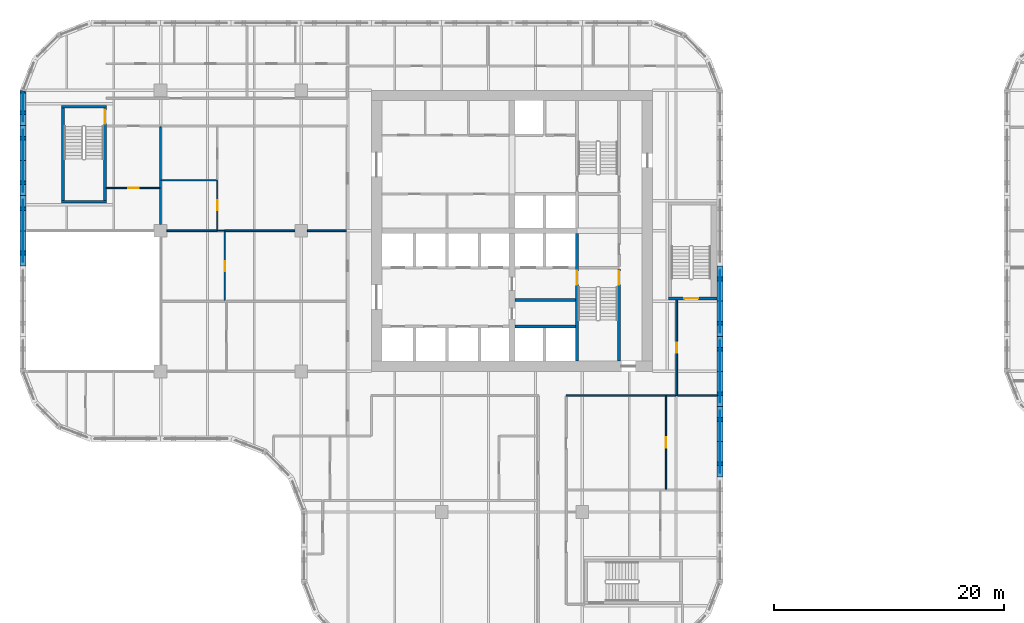
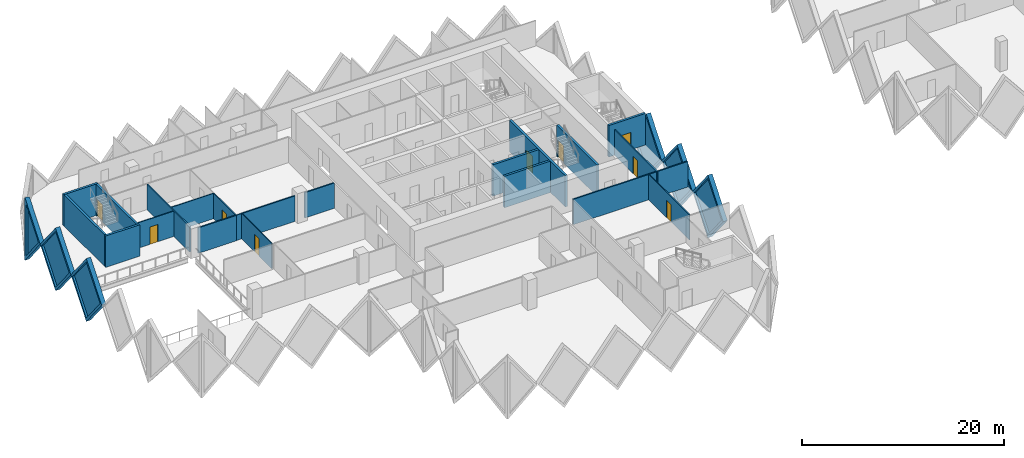
# One storey, part 7 of 18: 28 walls, 9 doors, 6 plates, 15 openings.
"""IFC4 building model written with IfcOpenShell, lengths in metres."""

from ifc_helpers import new_model, si_unit, direction, frame, frame_2d, origin, place, context, subcontext, project, spatial, polyline, rectangle, outline, extrude, faceted_brep, source, transform, mapped, material, layer, layer_set, type_object, element, fill, save


model = new_model("IFC4")

# Units and contexts
model_context = context("Model", 3, precision=1e-05, world=origin(), true_north=direction((0.0, 1.0)))
body_context = subcontext(model_context, "Body", "Model", "MODEL_VIEW")
ifc_project = project(units=[si_unit("LENGTHUNIT", "METRE"), si_unit("AREAUNIT", "SQUARE_METRE"), si_unit("VOLUMEUNIT", "CUBIC_METRE"), si_unit("PLANEANGLEUNIT", "RADIAN"), si_unit("MASSUNIT", "GRAM", prefix="KILO")], contexts=[model_context])

# Site, building, storey
site_placement = place(None, origin())
site = spatial("IfcSite", under=ifc_project, at=site_placement, CompositionType="ELEMENT")
building_placement = place(site_placement, origin())
building = spatial("IfcBuilding", under=site, at=building_placement, Name="Tessera Gate Towers", CompositionType="ELEMENT")
storey_placement = place(building_placement, frame((0.0, 0.0, 37.199951171875)))
storey = spatial("IfcBuildingStorey", under=building, at=storey_placement, Name="L08", CompositionType="ELEMENT", Elevation=37.199951171875)

# Wall, opening, door
ifc_material_1 = material(Name="Concrete C40/50", Category="concrete")
ifc_layer_1 = layer(ifc_material_1, 0.25)
ifc_layer_set_1 = layer_set([ifc_layer_1], Name="CORE ENCLOSURE WALL 250")
wall_type_1 = type_object("IfcWallType", Name="CORE ENCLOSURE WALL 250", PredefinedType="SOLIDWALL", material=ifc_layer_set_1)
wall_1_placement = place(storey_placement, frame((48.35009765625, 36.35009765625, 0.0), z_axis=(0.0, 0.0, 1.0), x_axis=(0.0, -1.0, 0.0)))
wall_1 = element("IfcWall", 1, at=wall_1_placement, inside=storey, type_object=wall_type_1, Name="L08 shaft and stair enclosure wall", PredefinedType="SOLIDWALL", context=body_context, shape_type="SweptSolid", body=[
    extrude(rectangle(XDim=11.050048828125, YDim=0.25, at=frame_2d((5.52490234375, 0.0))), origin(), (0.0, 0.0, 1.0), 3.800048828125),
])
shared_shape_1 = source(origin(), body_context, "Body", "SweptSolid", [
    extrude(rectangle(XDim=1.199951171875, YDim=2.10009765625, at=frame_2d((0.60009765625, 1.050048828125))), frame((0.0, 0.135009765625, 0.0), z_axis=(0.0, -1.0, 0.0), x_axis=(1.0, 0.0, 0.0)), (0.0, 0.0, 1.0), 0.27001953125),
])
opening_1_placement = place(wall_1_placement, frame((3.22509765625, 0.0, 0.0)))
opening_1 = element("IfcOpeningElement", 2, at=opening_1_placement, cuts=wall_1, Name="Opening SD-ST1-1", PredefinedType="OPENING", context=body_context, shape_type="MappedRepresentation", body=[
    mapped(shared_shape_1, transform((0.0, 0.0, 0.0), scale=1.0)),
])
ifc_material_2 = material(Name="Hollow steel fire door", Category="steel")
door_type_1 = type_object("IfcDoorType", Name="CORE DOOR SD 1200x2100", OperationType="NOTDEFINED", PredefinedType="DOOR", material=ifc_material_2)
shared_shape_2 = source(origin(), body_context, "Body", "SweptSolid", [
    extrude(rectangle(XDim=1.199951171875, YDim=2.10009765625, at=frame_2d((0.60009765625, 1.050048828125))), frame((0.0, 0.02490234375, 0.0), z_axis=(0.0, -1.0, 0.0), x_axis=(1.0, 0.0, 0.0)), (0.0, 0.0, 1.0), 0.050048828125),
])
door_1_placement = place(opening_1_placement, origin())
door_1 = element("IfcDoor", 3, at=door_1_placement, inside=storey, type_object=door_type_1, Name="Stair door", OperationType="SINGLE_SWING_LEFT", OverallHeight=2.10009765625, OverallWidth=1.199951171875, PredefinedType="DOOR", context=body_context, shape_type="MappedRepresentation", body=[
    mapped(shared_shape_2, transform((0.0, 0.0, 0.0), scale=1.0)),
])
fill(opening_1, door_1)

# Wall
wall_2_placement = place(storey_placement, frame((42.949951171875, 28.300048828125, 0.0), z_axis=(0.0, 0.0, 1.0), x_axis=(1.0, 0.0, 0.0)))
element("IfcWall", 4, at=wall_2_placement, inside=storey, type_object=wall_type_1, Name="L08 shaft and stair enclosure wall", PredefinedType="SOLIDWALL", context=body_context, shape_type="SweptSolid", body=[
    extrude(rectangle(XDim=5.275146484375, YDim=0.25, at=frame_2d((2.6376953125, 0.0))), origin(), (0.0, 0.0, 1.0), 3.800048828125),
])

# Wall, opening, door
wall_3_placement = place(storey_placement, frame((52.0, 25.300048828125, 0.0), z_axis=(0.0, 0.0, 1.0), x_axis=(0.0, 1.0, 0.0)))
wall_3 = element("IfcWall", 5, at=wall_3_placement, inside=storey, type_object=wall_type_1, Name="L08 shaft and stair enclosure wall", PredefinedType="SOLIDWALL", context=body_context, shape_type="SweptSolid", body=[
    extrude(rectangle(XDim=7.974853515625, YDim=0.25, at=frame_2d((3.9873046875, 0.0))), origin(), (0.0, 0.0, 1.0), 3.800048828125),
])
opening_2_placement = place(wall_3_placement, frame((6.625, 0.0, 0.0)))
opening_2 = element("IfcOpeningElement", 6, at=opening_2_placement, cuts=wall_3, Name="Opening SD-ST1-2", PredefinedType="OPENING", context=body_context, shape_type="MappedRepresentation", body=[
    mapped(shared_shape_1, transform((0.0, 0.0, 0.0), scale=1.0)),
])
door_2_placement = place(opening_2_placement, origin())
door_2 = element("IfcDoor", 7, at=door_2_placement, inside=storey, type_object=door_type_1, Name="Stair door", OperationType="SINGLE_SWING_RIGHT", OverallHeight=2.10009765625, OverallWidth=1.199951171875, PredefinedType="DOOR", context=body_context, shape_type="MappedRepresentation", body=[
    mapped(shared_shape_2, transform((0.0, 0.0, 0.0), scale=1.0)),
])
fill(opening_2, door_2)

# Walls
wall_4_placement = place(storey_placement, frame((42.949951171875, 30.60009765625, 0.0), z_axis=(0.0, 0.0, 1.0), x_axis=(1.0, 0.0, 0.0)))
element("IfcWall", 8, at=wall_4_placement, inside=storey, type_object=wall_type_1, Name="L08 shaft and stair enclosure wall", PredefinedType="SOLIDWALL", context=body_context, shape_type="SweptSolid", body=[
    extrude(rectangle(XDim=5.275146484375, YDim=0.25, at=frame_2d((2.6376953125, 0.0))), origin(), (0.0, 0.0, 1.0), 3.800048828125),
])
wall_5_placement = place(storey_placement, frame((7.5, 39.125, 0.0), z_axis=(0.0, 0.0, 1.0), x_axis=(-1.0, 0.0, 0.0)))
element("IfcWall", 9, at=wall_5_placement, inside=storey, type_object=wall_type_1, Name="L08 ST3 enclosure wall", PredefinedType="SOLIDWALL", context=body_context, shape_type="SweptSolid", body=[
    extrude(rectangle(XDim=3.89990234375, YDim=0.25, at=frame_2d((1.949951171875, 0.0))), origin(), (0.0, 0.0, 1.0), 3.800048828125),
])
wall_6_placement = place(storey_placement, frame((3.72509765625, 39.25, 0.0), z_axis=(0.0, 0.0, 1.0), x_axis=(0.0, 1.0, 0.0)))
element("IfcWall", 10, at=wall_6_placement, inside=storey, type_object=wall_type_1, Name="L08 ST3 enclosure wall", PredefinedType="SOLIDWALL", context=body_context, shape_type="SweptSolid", body=[
    extrude(rectangle(XDim=8.0, YDim=0.25, at=frame_2d((4.0, 0.0))), origin(), (0.0, 0.0, 1.0), 3.800048828125),
])
wall_7_placement = place(storey_placement, frame((3.60009765625, 47.375, 0.0), z_axis=(0.0, 0.0, 1.0), x_axis=(1.0, 0.0, 0.0)))
element("IfcWall", 11, at=wall_7_placement, inside=storey, type_object=wall_type_1, Name="L08 ST3 enclosure wall", PredefinedType="SOLIDWALL", context=body_context, shape_type="SweptSolid", body=[
    extrude(rectangle(XDim=3.89990234375, YDim=0.25, at=frame_2d((1.949951171875, 0.0))), origin(), (0.0, 0.0, 1.0), 3.800048828125),
])

# Wall, opening, door
wall_8_placement = place(storey_placement, frame((7.375, 47.25, 0.0), z_axis=(0.0, 0.0, 1.0), x_axis=(0.0, -1.0, 0.0)))
wall_8 = element("IfcWall", 12, at=wall_8_placement, inside=storey, type_object=wall_type_1, Name="L08 ST3 enclosure wall", PredefinedType="SOLIDWALL", context=body_context, shape_type="SweptSolid", body=[
    extrude(rectangle(XDim=8.0, YDim=0.25, at=frame_2d((4.0, 0.0))), origin(), (0.0, 0.0, 1.0), 3.800048828125),
])
opening_3_placement = place(wall_8_placement, frame((0.14990234375, 0.0, 0.0)))
opening_3 = element("IfcOpeningElement", 13, at=opening_3_placement, cuts=wall_8, Name="Opening SD-ST3-1", PredefinedType="OPENING", context=body_context, shape_type="MappedRepresentation", body=[
    mapped(shared_shape_1, transform((0.0, 0.0, 0.0), scale=1.0)),
])
door_3_placement = place(opening_3_placement, origin())
door_3 = element("IfcDoor", 14, at=door_3_placement, inside=storey, type_object=door_type_1, Name="Stair door", OperationType="SINGLE_SWING_LEFT", OverallHeight=2.10009765625, OverallWidth=1.199951171875, PredefinedType="DOOR", context=body_context, shape_type="MappedRepresentation", body=[
    mapped(shared_shape_2, transform((0.0, 0.0, 0.0), scale=1.0)),
])
fill(opening_3, door_3)

wall_9_placement = place(storey_placement, frame((60.5, 30.72509765625, 0.0), z_axis=(0.0, 0.0, 1.0), x_axis=(-1.0, 0.0, 0.0)))
wall_9 = element("IfcWall", 15, at=wall_9_placement, inside=storey, type_object=wall_type_1, Name="L08 ST5 enclosure wall", PredefinedType="SOLIDWALL", context=body_context, shape_type="SweptSolid", body=[
    extrude(rectangle(XDim=4.199951171875, YDim=0.25, at=frame_2d((2.10009765625, 0.0))), origin(), (0.0, 0.0, 1.0), 3.800048828125),
])
opening_4_placement = place(wall_9_placement, frame((1.64990234375, 0.0, 0.0)))
opening_4 = element("IfcOpeningElement", 16, at=opening_4_placement, cuts=wall_9, Name="Opening SD-ST5-1", PredefinedType="OPENING", context=body_context, shape_type="MappedRepresentation", body=[
    mapped(shared_shape_1, transform((0.0, 0.0, 0.0), scale=1.0)),
])
door_4_placement = place(opening_4_placement, origin())
door_4 = element("IfcDoor", 17, at=door_4_placement, inside=storey, type_object=door_type_1, Name="Stair door", OperationType="SINGLE_SWING_RIGHT", OverallHeight=2.10009765625, OverallWidth=1.199951171875, PredefinedType="DOOR", context=body_context, shape_type="MappedRepresentation", body=[
    mapped(shared_shape_2, transform((0.0, 0.0, 0.0), scale=1.0)),
])
fill(opening_4, door_4)

# Wall
ifc_material_3 = material(Name="Gypsum board on steel studs, mineral wool", Category="steel")
ifc_layer_2 = layer(ifc_material_3, 0.14990234375)
ifc_layer_set_2 = layer_set([ifc_layer_2], Name="CORRIDOR WALL 150")
wall_type_2 = type_object("IfcWallType", Name="CORRIDOR WALL 150", PredefinedType="PARTITIONING", material=ifc_layer_set_2)
wall_10_placement = place(storey_placement, frame((47.39990234375, 22.300048828125, 0.0), z_axis=(0.0, 0.0, 1.0), x_axis=(1.0, 0.0, 0.0)))
element("IfcWall", 18, at=wall_10_placement, inside=storey, type_object=wall_type_2, Name="T1-L08-PW-023", PredefinedType="PARTITIONING", context=body_context, shape_type="SweptSolid", body=[
    extrude(rectangle(XDim=9.524169921875, YDim=0.14990234375, at=frame_2d((4.76220703125, 0.0))), origin(), (0.0, 0.0, 1.0), 3.067138671875),
])

# Wall, opening, door
wall_11_placement = place(storey_placement, frame((57.0, 30.60009765625, 0.0), z_axis=(0.0, 0.0, 1.0), x_axis=(0.0, -1.0, 0.0)))
wall_11 = element("IfcWall", 19, at=wall_11_placement, inside=storey, type_object=wall_type_2, Name="T1-L08-PW-024", PredefinedType="PARTITIONING", context=body_context, shape_type="SweptSolid", body=[
    extrude(rectangle(XDim=8.300048828125, YDim=0.14990234375, at=frame_2d((4.14990234375, 0.0))), origin(), (0.0, 0.0, 1.0), 3.067138671875),
])
shared_shape_3 = source(origin(), body_context, "Body", "SweptSolid", [
    extrude(rectangle(XDim=0.89990234375, YDim=2.10009765625, at=frame_2d((0.449951171875, 1.050048828125))), frame((0.0, 0.0849609375, 0.0), z_axis=(0.0, -1.0, 0.0), x_axis=(1.0, 0.0, 0.0)), (0.0, 0.0, 1.0), 0.169921875),
])
opening_5_placement = place(wall_11_placement, frame((3.699951171875, 0.0, 0.0)))
opening_5 = element("IfcOpeningElement", 20, at=opening_5_placement, cuts=wall_11, Name="Opening D890FD60-A03-06", PredefinedType="OPENING", context=body_context, shape_type="MappedRepresentation", body=[
    mapped(shared_shape_3, transform((0.0, 0.0, 0.0), scale=1.0)),
])
ifc_material_4 = material(Name="Timber door leaf in steel frame", Category="steel")
door_type_2 = type_object("IfcDoorType", Name="CORRIDOR DOOR 900 FD60", OperationType="NOTDEFINED", PredefinedType="DOOR", material=ifc_material_4)
shared_shape_4 = source(origin(), body_context, "Body", "SweptSolid", [
    extrude(rectangle(XDim=0.89990234375, YDim=2.10009765625, at=frame_2d((0.449951171875, 1.050048828125))), frame((0.0, 0.02490234375, 0.0), z_axis=(0.0, -1.0, 0.0), x_axis=(1.0, 0.0, 0.0)), (0.0, 0.0, 1.0), 0.050048828125),
])
door_5_placement = place(opening_5_placement, origin())
door_5 = element("IfcDoor", 21, at=door_5_placement, inside=storey, type_object=door_type_2, Name="T1-L08-PD-021", OperationType="SINGLE_SWING_RIGHT", OverallHeight=2.10009765625, OverallWidth=0.89990234375, PredefinedType="DOOR", context=body_context, shape_type="MappedRepresentation", body=[
    mapped(shared_shape_4, transform((0.0, 0.0, 0.0), scale=1.0)),
])
fill(opening_5, door_5)

ifc_material_5 = material(Name="Glass", Category="glass")
ifc_layer_3 = layer(ifc_material_5, 0.10009765625)
ifc_layer_set_3 = layer_set([ifc_layer_3], Name="GLAZED PARTITION 100")
wall_type_3 = type_object("IfcWallType", Name="GLAZED PARTITION 100", PredefinedType="PARTITIONING", material=ifc_layer_set_3)
wall_12_placement = place(storey_placement, frame((56.06494140625, 22.22412109375, 0.0), z_axis=(0.0, 0.0, 1.0), x_axis=(0.0, -1.0, 0.0)))
wall_12 = element("IfcWall", 22, at=wall_12_placement, inside=storey, type_object=wall_type_3, Name="T1-L08-PW-014", PredefinedType="PARTITIONING", context=body_context, shape_type="SweptSolid", body=[
    extrude(rectangle(XDim=8.048095703125, YDim=0.10009765625, at=frame_2d((4.02392578125, 0.0))), origin(), (0.0, 0.0, 1.0), 3.067138671875),
])
shared_shape_5 = source(origin(), body_context, "Body", "SweptSolid", [
    extrude(rectangle(XDim=0.89990234375, YDim=2.10009765625, at=frame_2d((0.449951171875, 1.050048828125))), frame((0.0, 0.06005859375, 0.0), z_axis=(0.0, -1.0, 0.0), x_axis=(1.0, 0.0, 0.0)), (0.0, 0.0, 1.0), 0.1201171875),
])
opening_6_placement = place(wall_12_placement, frame((3.548095703125, 0.0, 0.0)))
opening_6 = element("IfcOpeningElement", 23, at=opening_6_placement, cuts=wall_12, Name="Opening D690-A03-04", PredefinedType="OPENING", context=body_context, shape_type="MappedRepresentation", body=[
    mapped(shared_shape_5, transform((0.0, 0.0, 0.0), scale=1.0)),
])
ifc_material_6 = material(Name="Glass in aluminium frame", Category="aluminium")
door_type_3 = type_object("IfcDoorType", Name="GLAZED DOOR 900 NOT RATED", OperationType="NOTDEFINED", PredefinedType="DOOR", material=ifc_material_6)
door_6_placement = place(opening_6_placement, origin())
door_6 = element("IfcDoor", 24, at=door_6_placement, inside=storey, type_object=door_type_3, Name="T1-L08-PD-019", OperationType="SINGLE_SWING_RIGHT", OverallHeight=2.10009765625, OverallWidth=0.89990234375, PredefinedType="DOOR", context=body_context, shape_type="MappedRepresentation", body=[
    mapped(shared_shape_4, transform((0.0, 0.0, 0.0), scale=1.0)),
])
fill(opening_6, door_6)

wall_13_placement = place(storey_placement, frame((17.77490234375, 30.575927734375, 0.0), z_axis=(0.0, 0.0, 1.0), x_axis=(0.0, 1.0, 0.0)))
wall_13 = element("IfcWall", 25, at=wall_13_placement, inside=storey, type_object=wall_type_3, Name="T1-L08-PW-032", PredefinedType="PARTITIONING", context=body_context, shape_type="SweptSolid", body=[
    extrude(rectangle(XDim=5.947998046875, YDim=0.10009765625, at=frame_2d((2.97412109375, 0.0))), origin(), (0.0, 0.0, 1.0), 3.067138671875),
])
opening_7_placement = place(wall_13_placement, frame((2.5, 0.0, 0.0)))
opening_7 = element("IfcOpeningElement", 26, at=opening_7_placement, cuts=wall_13, Name="Opening D690-A03-03", PredefinedType="OPENING", context=body_context, shape_type="MappedRepresentation", body=[
    mapped(shared_shape_5, transform((0.0, 0.0, 0.0), scale=1.0)),
])
door_7_placement = place(opening_7_placement, origin())
door_7 = element("IfcDoor", 27, at=door_7_placement, inside=storey, type_object=door_type_3, Name="T1-L08-PD-014", OperationType="SINGLE_SWING_LEFT", OverallHeight=2.10009765625, OverallWidth=0.89990234375, PredefinedType="DOOR", context=body_context, shape_type="MappedRepresentation", body=[
    mapped(shared_shape_4, transform((0.0, 0.0, 0.0), scale=1.0)),
])
fill(opening_7, door_7)

# Wall
wall_14_placement = place(storey_placement, frame((17.1259765625, 36.60009765625, 0.0), z_axis=(0.0, 0.0, 1.0), x_axis=(1.0, 0.0, 0.0)))
element("IfcWall", 28, at=wall_14_placement, inside=storey, type_object=wall_type_3, Name="T1-L08-PW-034", PredefinedType="PARTITIONING", context=body_context, shape_type="SweptSolid", body=[
    extrude(rectangle(XDim=0.64794921875, YDim=0.10009765625, at=frame_2d((0.323974609375, 0.0))), origin(), (0.0, 0.0, 1.0), 3.067138671875),
])

# Wall, opening, door
ifc_material_7 = material(Name="Gypsum board on steel studs", Category="steel")
ifc_layer_4 = layer(ifc_material_7, 0.10009765625)
ifc_layer_set_4 = layer_set([ifc_layer_4], Name="PARTITION 100")
wall_type_4 = type_object("IfcWallType", Name="PARTITION 100", PredefinedType="PARTITIONING", material=ifc_layer_set_4)
wall_15_placement = place(storey_placement, frame((17.125, 36.676025390625, 0.0), z_axis=(0.0, 0.0, 1.0), x_axis=(0.0, 1.0, 0.0)))
wall_15 = element("IfcWall", 29, at=wall_15_placement, inside=storey, type_object=wall_type_4, Name="T1-L08-PW-037", PredefinedType="PARTITIONING", context=body_context, shape_type="SweptSolid", body=[
    extrude(rectangle(XDim=4.26904296875, YDim=0.10009765625, at=frame_2d((2.134521484375, 0.0))), origin(), (0.0, 0.0, 1.0), 3.067138671875),
])
opening_8_placement = place(wall_15_placement, frame((1.699951171875, 0.0, 0.0)))
opening_8 = element("IfcOpeningElement", 30, at=opening_8_placement, cuts=wall_15, Name="Opening D190-A03-02", PredefinedType="OPENING", context=body_context, shape_type="MappedRepresentation", body=[
    mapped(shared_shape_5, transform((0.0, 0.0, 0.0), scale=1.0)),
])
ifc_material_8 = material(Name="Timber door leaf in steel frame", Category="steel")
door_type_4 = type_object("IfcDoorType", Name="INTERNAL DOOR 900 NOT RATED", OperationType="NOTDEFINED", PredefinedType="DOOR", material=ifc_material_8)
door_8_placement = place(opening_8_placement, origin())
door_8 = element("IfcDoor", 31, at=door_8_placement, inside=storey, type_object=door_type_4, Name="T1-L08-PD-003", OperationType="SINGLE_SWING_LEFT", OverallHeight=2.10009765625, OverallWidth=0.89990234375, PredefinedType="DOOR", context=body_context, shape_type="MappedRepresentation", body=[
    mapped(shared_shape_4, transform((0.0, 0.0, 0.0), scale=1.0)),
])
fill(opening_8, door_8)

wall_16_placement = place(storey_placement, frame((12.1240234375, 40.31494140625, 0.0), z_axis=(0.0, 0.0, 1.0), x_axis=(-1.0, 0.0, 0.0)))
wall_16 = element("IfcWall", 32, at=wall_16_placement, inside=storey, type_object=wall_type_4, Name="T1-L08-PW-039", PredefinedType="PARTITIONING", context=body_context, shape_type="SweptSolid", body=[
    extrude(rectangle(XDim=4.6240234375, YDim=0.10009765625, at=frame_2d((2.31201171875, 0.0))), origin(), (0.0, 0.0, 1.0), 3.067138671875),
])
opening_9_placement = place(wall_16_placement, frame((1.823974609375, 0.0, 0.0)))
opening_9 = element("IfcOpeningElement", 33, at=opening_9_placement, cuts=wall_16, Name="Opening D190-A03-05", PredefinedType="OPENING", context=body_context, shape_type="MappedRepresentation", body=[
    mapped(shared_shape_5, transform((0.0, 0.0, 0.0), scale=1.0)),
])
door_9_placement = place(opening_9_placement, origin())
door_9 = element("IfcDoor", 34, at=door_9_placement, inside=storey, type_object=door_type_4, Name="T1-L08-PD-006", OperationType="SINGLE_SWING_RIGHT", OverallHeight=2.10009765625, OverallWidth=0.89990234375, PredefinedType="DOOR", context=body_context, shape_type="MappedRepresentation", body=[
    mapped(shared_shape_4, transform((0.0, 0.0, 0.0), scale=1.0)),
])
fill(opening_9, door_9)

# Walls
wall_17_placement = place(storey_placement, frame((12.27587890625, 40.99609375, 0.0), z_axis=(0.0, 0.0, 1.0), x_axis=(1.0, 0.0, 0.0)))
element("IfcWall", 35, at=wall_17_placement, inside=storey, type_object=wall_type_4, Name="T1-L08-PW-040", PredefinedType="PARTITIONING", context=body_context, shape_type="SweptSolid", body=[
    extrude(rectangle(XDim=4.84912109375, YDim=0.10009765625, at=frame_2d((2.424560546875, 0.0))), origin(), (0.0, 0.0, 1.0), 3.067138671875),
])
ifc_material_9 = material(Name="Gypsum board on steel studs, mineral wool", Category="steel")
ifc_layer_5 = layer(ifc_material_9, 0.14990234375)
ifc_layer_set_5 = layer_set([ifc_layer_5], Name="TENANCY WALL 150")
wall_type_5 = type_object("IfcWallType", Name="TENANCY WALL 150", PredefinedType="PARTITIONING", material=ifc_layer_set_5)
wall_18_placement = place(storey_placement, frame((57.075927734375, 22.300048828125, 0.0), z_axis=(0.0, 0.0, 1.0), x_axis=(1.0, 0.0, 0.0)))
element("IfcWall", 36, at=wall_18_placement, inside=storey, type_object=wall_type_5, Name="T1-L08-PW-025", PredefinedType="PARTITIONING", context=body_context, shape_type="SweptSolid", body=[
    extrude(rectangle(XDim=3.424072265625, YDim=0.14990234375, at=frame_2d((1.7119140625, 0.0))), origin(), (0.0, 0.0, 1.0), 3.067138671875),
])
wall_19_placement = place(storey_placement, frame((12.7509765625, 36.60009765625, 0.0), z_axis=(0.0, 0.0, 1.0), x_axis=(1.0, 0.0, 0.0)))
element("IfcWall", 37, at=wall_19_placement, inside=storey, type_object=wall_type_5, Name="T1-L08-PW-033", PredefinedType="PARTITIONING", context=body_context, shape_type="SweptSolid", body=[
    extrude(rectangle(XDim=4.3740234375, YDim=0.14990234375, at=frame_2d((2.18701171875, 0.0))), origin(), (0.0, 0.0, 1.0), 3.067138671875),
])
wall_20_placement = place(storey_placement, frame((17.77490234375, 36.60009765625, 0.0), z_axis=(0.0, 0.0, 1.0), x_axis=(1.0, 0.0, 0.0)))
element("IfcWall", 38, at=wall_20_placement, inside=storey, type_object=wall_type_5, Name="T1-L08-PW-035", PredefinedType="PARTITIONING", context=body_context, shape_type="SweptSolid", body=[
    extrude(rectangle(XDim=6.07421875, YDim=0.14990234375, at=frame_2d((3.037109375, 0.0))), origin(), (0.0, 0.0, 1.0), 3.067138671875),
])
wall_21_placement = place(storey_placement, frame((24.950927734375, 36.60009765625, 0.0), z_axis=(0.0, 0.0, 1.0), x_axis=(1.0, 0.0, 0.0)))
element("IfcWall", 39, at=wall_21_placement, inside=storey, type_object=wall_type_5, Name="T1-L08-PW-036", PredefinedType="PARTITIONING", context=body_context, shape_type="SweptSolid", body=[
    extrude(rectangle(XDim=3.373046875, YDim=0.14990234375, at=frame_2d((1.6865234375, 0.0))), origin(), (0.0, 0.0, 1.0), 3.067138671875),
])
wall_22_placement = place(storey_placement, frame((12.199951171875, 37.15087890625, 0.0), z_axis=(0.0, 0.0, 1.0), x_axis=(0.0, 1.0, 0.0)))
element("IfcWall", 40, at=wall_22_placement, inside=storey, type_object=wall_type_5, Name="T1-L08-PW-038", PredefinedType="PARTITIONING", context=body_context, shape_type="SweptSolid", body=[
    extrude(rectangle(XDim=8.47314453125, YDim=0.14990234375, at=frame_2d((4.236572265625, 0.0))), origin(), (0.0, 0.0, 1.0), 3.067138671875),
])

# Wall, opening, plate
ifc_material_10 = material(Name="Precast concrete C60/75 white", Category="concrete")
ifc_layer_6 = layer(ifc_material_10, 0.5)
ifc_layer_set_6 = layer_set([ifc_layer_6], Name="TS1 tessera")
wall_type_6 = type_object("IfcWallType", Name="TS1 tessera", PredefinedType="SOLIDWALL", material=ifc_layer_set_6)
shared_shape_6 = source(origin(), body_context, "Body", "Brep", [
    faceted_brep([(3.050048828125, -0.25, 0.0), (6.099853515625, -0.25, 3.7998046875), (6.099853515625, -0.25, 3.80029296875), (3.050048828125, -0.25, 7.60009765625), (0.0, -0.25, 3.800048828125), (0.0, 0.25, 3.800048828125), (3.050048828125, 0.25, 7.60009765625), (6.099853515625, 0.25, 3.80029296875), (6.099853515625, 0.25, 3.7998046875), (3.050048828125, 0.25, 0.0)], [[[0, 1, 2, 3, 4]], [[5, 6, 7, 8, 9]], [[9, 8, 1, 0]], [[7, 6, 3, 2]], [[6, 5, 4, 3]], [[5, 9, 0, 4]], [[1, 8, 7, 2]]]),
])
wall_23_placement = place(storey_placement, frame((60.75, 21.35009765625, -3.800048828125), z_axis=(0.0, 0.0, 1.0), x_axis=(0.0, 1.0, 0.0)))
wall_23 = element("IfcWall", 41, at=wall_23_placement, inside=storey, type_object=wall_type_6, Name="Precast tessera T1 TS1-0075", PredefinedType="SOLIDWALL", context=body_context, shape_type="MappedRepresentation", body=[
    mapped(shared_shape_6, transform((0.0, 0.0, 0.0), scale=1.0)),
])
shared_shape_7 = source(origin(), body_context, "Body", "SweptSolid", [
    extrude(outline(polyline([(3.050048828125, 0.3994140625), (5.779541015625, 3.800048828125), (3.050048828125, 7.20068359375), (0.320556640625, 3.800048828125), (3.050048828125, 0.3994140625)])), frame((0.0, 0.260009765625, 0.0), z_axis=(0.0, -1.0, 0.0), x_axis=(1.0, 0.0, 0.0)), (0.0, 0.0, 1.0), 0.52001953125),
])
opening_10_placement = place(wall_23_placement, origin())
opening_10 = element("IfcOpeningElement", 42, at=opening_10_placement, cuts=wall_23, Name="Opening T1-PL2-0151", PredefinedType="OPENING", context=body_context, shape_type="MappedRepresentation", body=[
    mapped(shared_shape_7, transform((0.0, 0.0, 0.0), scale=1.0)),
])
ifc_material_11 = material(Name="Low-e laminated glass", Category="glass")
ifc_layer_7 = layer(ifc_material_11, 0.06005859375)
ifc_layer_set_7 = layer_set([ifc_layer_7], Name="PL2 rhombic pane")
plate_type = type_object("IfcPlateType", Name="PL2 rhombic pane", PredefinedType="SHEET", material=ifc_layer_set_7)
shared_shape_8 = source(origin(), body_context, "Body", "SweptSolid", [
    extrude(outline(polyline([(3.050048828125, 0.3994140625), (5.779541015625, 3.800048828125), (3.050048828125, 7.20068359375), (0.320556640625, 3.800048828125), (3.050048828125, 0.3994140625)])), frame((0.0, 0.030029296875, 0.0), z_axis=(0.0, -1.0, 0.0), x_axis=(1.0, 0.0, 0.0)), (0.0, 0.0, 1.0), 0.06005859375),
])
plate_1_placement = place(opening_10_placement, origin())
plate_1 = element("IfcPlate", 43, at=plate_1_placement, inside=storey, type_object=plate_type, Name="Glass pane T1 PL2-0151", PredefinedType="SHEET", context=body_context, shape_type="MappedRepresentation", body=[
    mapped(shared_shape_8, transform((0.0, 0.0, 0.0), scale=1.0)),
])
fill(opening_10, plate_1)

wall_24_placement = place(storey_placement, frame((0.25, 39.64990234375, -3.800048828125), z_axis=(0.0, 0.0, 1.0), x_axis=(0.0, -1.0, 0.0)))
wall_24 = element("IfcWall", 44, at=wall_24_placement, inside=storey, type_object=wall_type_6, Name="Precast tessera T1 TS1-0088", PredefinedType="SOLIDWALL", context=body_context, shape_type="MappedRepresentation", body=[
    mapped(shared_shape_6, transform((0.0, 0.0, 0.0), scale=1.0)),
])
opening_11_placement = place(wall_24_placement, origin())
opening_11 = element("IfcOpeningElement", 45, at=opening_11_placement, cuts=wall_24, Name="Opening T1-PL2-0172", PredefinedType="OPENING", context=body_context, shape_type="MappedRepresentation", body=[
    mapped(shared_shape_7, transform((0.0, 0.0, 0.0), scale=1.0)),
])
plate_2_placement = place(opening_11_placement, origin())
plate_2 = element("IfcPlate", 46, at=plate_2_placement, inside=storey, type_object=plate_type, Name="Glass pane T1 PL2-0172", PredefinedType="SHEET", context=body_context, shape_type="MappedRepresentation", body=[
    mapped(shared_shape_8, transform((0.0, 0.0, 0.0), scale=1.0)),
])
fill(opening_11, plate_2)

shared_shape_9 = source(origin(), body_context, "Body", "SweptSolid", [
    extrude(outline(polyline([(3.050048828125, 0.0), (6.10009765625, 3.800048828125), (3.050048828125, 7.60009765625), (0.0, 3.800048828125), (3.050048828125, 0.0)])), frame((0.0, 0.25, 0.0), z_axis=(0.0, -1.0, 0.0), x_axis=(1.0, 0.0, 0.0)), (0.0, 0.0, 1.0), 0.5),
])
wall_25_placement = place(storey_placement, frame((60.75, 15.25, -3.800048828125), z_axis=(0.0, 0.0, 1.0), x_axis=(0.0, 1.0, 0.0)))
wall_25 = element("IfcWall", 47, at=wall_25_placement, inside=storey, type_object=wall_type_6, Name="Precast tessera T1 TS1-0074", PredefinedType="SOLIDWALL", context=body_context, shape_type="MappedRepresentation", body=[
    mapped(shared_shape_9, transform((0.0, 0.0, 0.0), scale=1.0)),
])
opening_12_placement = place(wall_25_placement, origin())
opening_12 = element("IfcOpeningElement", 48, at=opening_12_placement, cuts=wall_25, Name="Opening T1-PL2-0150", PredefinedType="OPENING", context=body_context, shape_type="MappedRepresentation", body=[
    mapped(shared_shape_7, transform((0.0, 0.0, 0.0), scale=1.0)),
])
plate_3_placement = place(opening_12_placement, origin())
plate_3 = element("IfcPlate", 49, at=plate_3_placement, inside=storey, type_object=plate_type, Name="Glass pane T1 PL2-0150", PredefinedType="SHEET", context=body_context, shape_type="MappedRepresentation", body=[
    mapped(shared_shape_8, transform((0.0, 0.0, 0.0), scale=1.0)),
])
fill(opening_12, plate_3)

wall_26_placement = place(storey_placement, frame((60.75, 27.449951171875, -3.800048828125), z_axis=(0.0, 0.0, 1.0), x_axis=(0.0, 1.0, 0.0)))
wall_26 = element("IfcWall", 50, at=wall_26_placement, inside=storey, type_object=wall_type_6, Name="Precast tessera T1 TS1-0076", PredefinedType="SOLIDWALL", context=body_context, shape_type="MappedRepresentation", body=[
    mapped(shared_shape_9, transform((0.0, 0.0, 0.0), scale=1.0)),
])
opening_13_placement = place(wall_26_placement, origin())
opening_13 = element("IfcOpeningElement", 51, at=opening_13_placement, cuts=wall_26, Name="Opening T1-PL2-0152", PredefinedType="OPENING", context=body_context, shape_type="MappedRepresentation", body=[
    mapped(shared_shape_7, transform((0.0, 0.0, 0.0), scale=1.0)),
])
plate_4_placement = place(opening_13_placement, origin())
plate_4 = element("IfcPlate", 52, at=plate_4_placement, inside=storey, type_object=plate_type, Name="Glass pane T1 PL2-0152", PredefinedType="SHEET", context=body_context, shape_type="MappedRepresentation", body=[
    mapped(shared_shape_8, transform((0.0, 0.0, 0.0), scale=1.0)),
])
fill(opening_13, plate_4)

wall_27_placement = place(storey_placement, frame((0.25, 45.75, -3.800048828125), z_axis=(0.0, 0.0, 1.0), x_axis=(0.0, -1.0, 0.0)))
wall_27 = element("IfcWall", 53, at=wall_27_placement, inside=storey, type_object=wall_type_6, Name="Precast tessera T1 TS1-0087", PredefinedType="SOLIDWALL", context=body_context, shape_type="MappedRepresentation", body=[
    mapped(shared_shape_9, transform((0.0, 0.0, 0.0), scale=1.0)),
])
opening_14_placement = place(wall_27_placement, origin())
opening_14 = element("IfcOpeningElement", 54, at=opening_14_placement, cuts=wall_27, Name="Opening T1-PL2-0171", PredefinedType="OPENING", context=body_context, shape_type="MappedRepresentation", body=[
    mapped(shared_shape_7, transform((0.0, 0.0, 0.0), scale=1.0)),
])
plate_5_placement = place(opening_14_placement, origin())
plate_5 = element("IfcPlate", 55, at=plate_5_placement, inside=storey, type_object=plate_type, Name="Glass pane T1 PL2-0171", PredefinedType="SHEET", context=body_context, shape_type="MappedRepresentation", body=[
    mapped(shared_shape_8, transform((0.0, 0.0, 0.0), scale=1.0)),
])
fill(opening_14, plate_5)

ifc_material_12 = material(Name="Precast concrete C60/75 white", Category="concrete")
ifc_layer_8 = layer(ifc_material_12, 0.5)
ifc_layer_set_8 = layer_set([ifc_layer_8], Name="TS3 corner tessera")
wall_type_7 = type_object("IfcWallType", Name="TS3 corner tessera", PredefinedType="SOLIDWALL", material=ifc_layer_set_8)
shared_shape_10 = source(origin(), body_context, "Body", "Brep", [
    faceted_brep([(0.046630859375, -0.25, 0.0), (3.050048828125, -0.25, 3.800048828125), (0.046630859375, -0.25, 7.60009765625), (0.0, -0.25, 7.5400390625), (0.0, -0.25, 0.06005859375), (0.09326171875, 0.25, 7.541259765625), (3.050048828125, 0.25, 3.800048828125), (0.09326171875, 0.25, 0.058837890625), (0.046630859375, 0.0, 0.0), (0.046630859375, 0.0, 7.60009765625)], [[[0, 1, 2, 3, 4]], [[5, 6, 7]], [[7, 6, 1, 0, 8]], [[6, 5, 9, 2, 1]], [[3, 2, 9]], [[8, 0, 4]], [[7, 8, 4, 3, 9, 5]]]),
])
wall_28_placement = place(storey_placement, frame((0.25, 48.800048828125, -3.800048828125), z_axis=(0.0, 0.0, 1.0), x_axis=(0.0, -1.0, 0.0)))
wall_28 = element("IfcWall", 56, at=wall_28_placement, inside=storey, type_object=wall_type_7, Name="Precast corner tessera T1 TS3-0156", PredefinedType="SOLIDWALL", context=body_context, shape_type="MappedRepresentation", body=[
    mapped(shared_shape_10, transform((0.0, 0.0, 0.0), scale=1.0)),
])
shared_shape_11 = source(origin(), body_context, "Body", "SweptSolid", [
    extrude(outline(polyline([(0.24658203125, 0.65625), (2.7314453125, 3.800048828125), (0.24658203125, 6.94384765625), (0.24658203125, 0.65625)])), frame((0.0, 0.260009765625, 0.0), z_axis=(0.0, -1.0, 0.0), x_axis=(1.0, 0.0, 0.0)), (0.0, 0.0, 1.0), 0.52001953125),
])
opening_15_placement = place(wall_28_placement, origin())
opening_15 = element("IfcOpeningElement", 57, at=opening_15_placement, cuts=wall_28, Name="Opening T1-PL2-0170", PredefinedType="OPENING", context=body_context, shape_type="MappedRepresentation", body=[
    mapped(shared_shape_11, transform((0.0, 0.0, 0.0), scale=1.0)),
])
shared_shape_12 = source(origin(), body_context, "Body", "SweptSolid", [
    extrude(outline(polyline([(0.24658203125, 0.65625), (2.7314453125, 3.800048828125), (0.24658203125, 6.94384765625), (0.24658203125, 0.65625)])), frame((0.0, 0.030029296875, 0.0), z_axis=(0.0, -1.0, 0.0), x_axis=(1.0, 0.0, 0.0)), (0.0, 0.0, 1.0), 0.06005859375),
])
plate_6_placement = place(opening_15_placement, origin())
plate_6 = element("IfcPlate", 58, at=plate_6_placement, inside=storey, type_object=plate_type, Name="Glass pane T1 PL2-0170", PredefinedType="SHEET", context=body_context, shape_type="MappedRepresentation", body=[
    mapped(shared_shape_12, transform((0.0, 0.0, 0.0), scale=1.0)),
])
fill(opening_15, plate_6)

save(model, "model.ifc")
